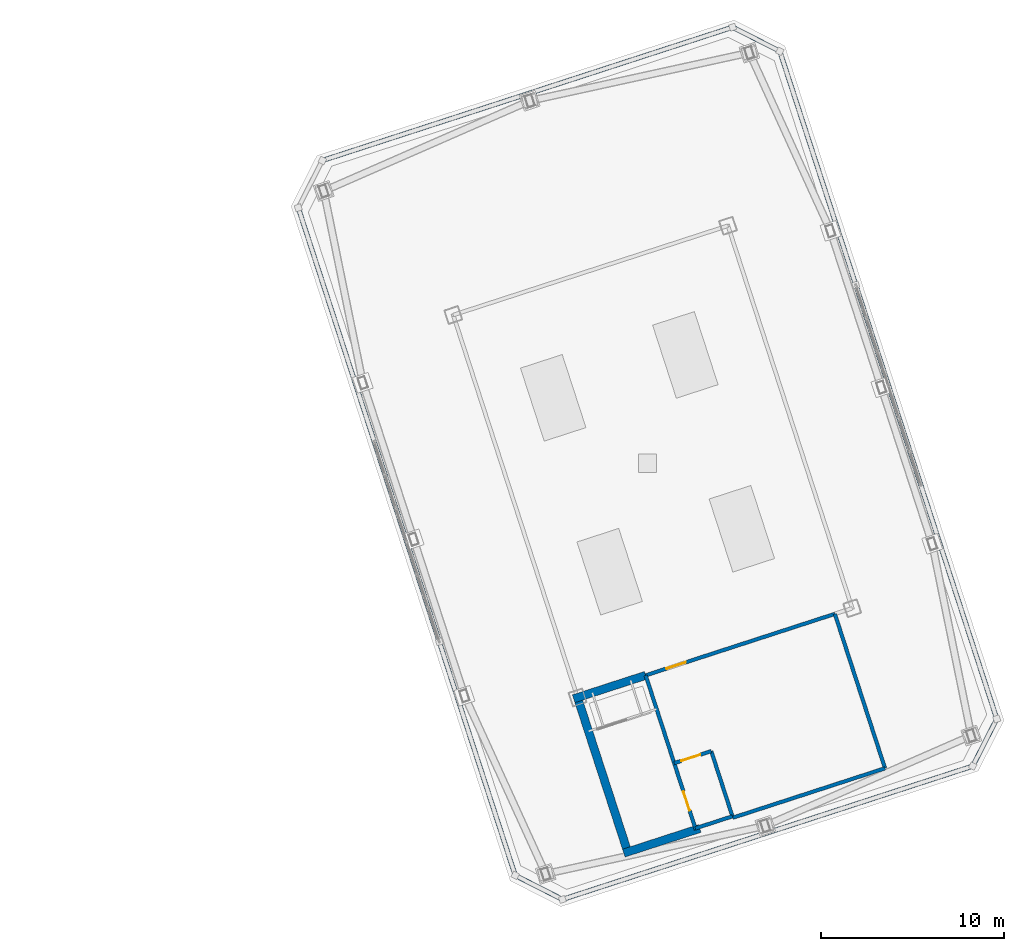
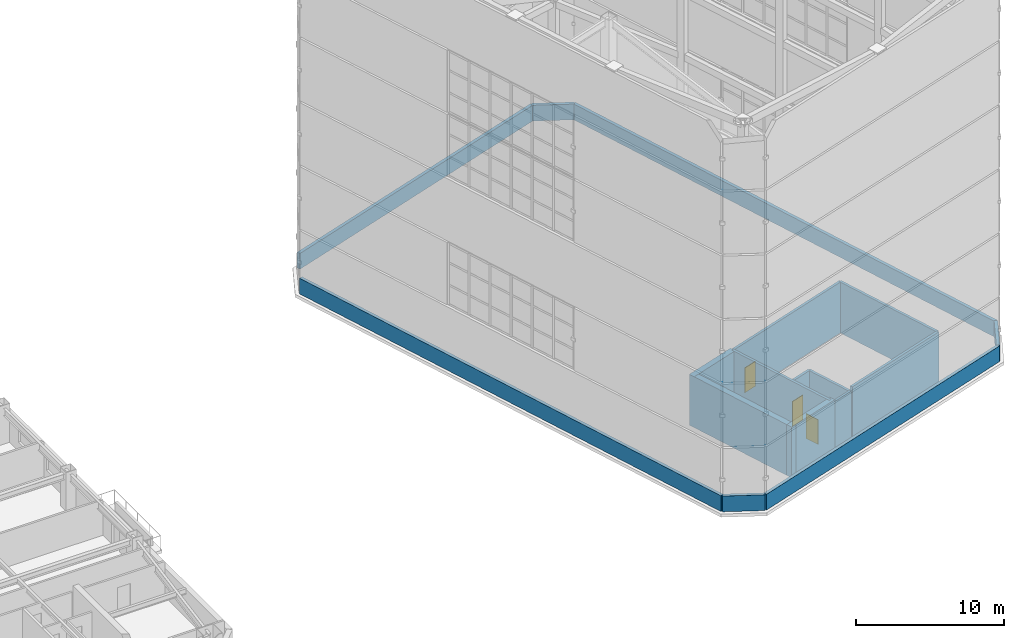
# One storey, part 51 of 56: 17 walls, 3 doors, 3 openings.
"""IFC4 building model written with IfcOpenShell, lengths in metres."""

from ifc_helpers import new_model, si_unit, direction, frame, frame_2d, origin, place, context, subcontext, project, spatial, rectangle, extrude, material, layer, layer_set, type_object, element, fill, save


model = new_model("IFC4")

# Units and contexts
model_context = context("Model", 3, precision=1e-05, world=origin(), true_north=direction((0.0, 1.0)))
body_context = subcontext(model_context, "Body", "Model", "MODEL_VIEW")
ifc_project = project(units=[si_unit("LENGTHUNIT", "METRE"), si_unit("AREAUNIT", "SQUARE_METRE"), si_unit("VOLUMEUNIT", "CUBIC_METRE"), si_unit("PLANEANGLEUNIT", "RADIAN"), si_unit("MASSUNIT", "GRAM", prefix="KILO")], contexts=[model_context])

# Site, building, storey
site_placement = place(None, origin())
site = spatial("IfcSite", under=ifc_project, at=site_placement, CompositionType="ELEMENT")
building_placement = place(site_placement, origin())
building = spatial("IfcBuilding", under=site, at=building_placement, Name="Qiaolan Cultural Towers", CompositionType="ELEMENT")
storey_placement = place(building_placement, frame((0.0, 0.0, 250.39990234375)))
storey = spatial("IfcBuildingStorey", under=building, at=storey_placement, Name="L68", CompositionType="ELEMENT", Elevation=250.39990234375)

# Walls
ifc_material_1 = material(Name="Concrete C50", Category="concrete")
ifc_layer_1 = layer(ifc_material_1, 0.449951171875)
ifc_layer_set_1 = layer_set([ifc_layer_1], Name="Concrete C50")
wall_type_1 = type_object("IfcWallType", Name="WL-CORE-450", PredefinedType="SHEAR", material=ifc_layer_set_1)
wall_1_placement = place(storey_placement, frame((88.701171875, 12.675048828125, 0.0), z_axis=(0.0, 0.0, 1.0), x_axis=(0.951063623806, 0.308995118848, 0.0)))
element("IfcWall", 1, at=wall_1_placement, inside=storey, type_object=wall_type_1, Name="L68 T2-CS Outer Core Shear Wall", PredefinedType="SHEAR", context=body_context, shape_type="SweptSolid", body=[
    extrude(rectangle(XDim=4.3701171875, YDim=0.449951171875, at=frame_2d((2.18505859375, 0.0))), origin(), (0.0, 0.0, 1.0), 4.2001953125),
])
wall_2_placement = place(storey_placement, frame((86.1015625, 21.40380859375, 0.0), z_axis=(0.0, 0.0, 1.0), x_axis=(0.309035778627, -0.951050412717, 0.0)))
element("IfcWall", 2, at=wall_2_placement, inside=storey, type_object=wall_type_1, Name="L68 T2-CS West Core Shear Wall", PredefinedType="SHEAR", context=body_context, shape_type="SweptSolid", body=[
    extrude(rectangle(XDim=9.330078125, YDim=0.449951171875, at=frame_2d((4.6650390625, 0.0))), origin(), (0.0, 0.0, 1.0), 4.2001953125),
])
wall_3_placement = place(storey_placement, frame((85.957275390625, 21.120361328125, 0.0), z_axis=(0.0, 0.0, 1.0), x_axis=(0.951064796122, 0.308991510526, 0.0)))
element("IfcWall", 3, at=wall_3_placement, inside=storey, type_object=wall_type_1, Name="L68 T2-CS Stair Front Shear Wall", PredefinedType="SHEAR", context=body_context, shape_type="SweptSolid", body=[
    extrude(rectangle(XDim=4.14501953125, YDim=0.449951171875, at=frame_2d((2.072509765625, 0.0))), origin(), (0.0, 0.0, 1.0), 4.2001953125),
])

# Wall, opening, door
ifc_material_2 = material(Name="Concrete C35 Fire Wall", Category="concrete")
ifc_layer_2 = layer(ifc_material_2, 0.199951171875)
ifc_layer_set_2 = layer_set([ifc_layer_2], Name="Concrete C35 Fire Wall")
wall_type_2 = type_object("IfcWallType", Name="WL-FIRE-200", PredefinedType="PARTITIONING", material=ifc_layer_set_2)
wall_4_placement = place(storey_placement, frame((91.459716796875, 17.598388671875, 0.0), z_axis=(0.0, 0.0, 1.0), x_axis=(0.951062701823, 0.30899795663, 0.0)))
wall_4 = element("IfcWall", 4, at=wall_4_placement, inside=storey, type_object=wall_type_2, Name="L68 FFL-E1 Shaft Wall FF-S", PredefinedType="PARTITIONING", context=body_context, shape_type="SweptSolid", body=[
    extrude(rectangle(XDim=2.130126953125, YDim=0.199951171875, at=frame_2d((1.06494140625, 0.0))), origin(), (0.0, 0.0, 1.0), 3.800048828125),
])
opening_1_placement = place(wall_4_placement, frame((0.39990234375, 0.0, 0.0)))
opening_1 = element("IfcOpeningElement", 5, at=opening_1_placement, cuts=wall_4, Name="Opening LD-01", PredefinedType="OPENING", context=body_context, shape_type="SweptSolid", body=[
    extrude(rectangle(XDim=1.10009765625, YDim=2.050048828125, at=frame_2d((0.550048828125, 1.02490234375))), frame((0.0, 0.10986328125, 0.0), z_axis=(0.0, -1.0, 0.0), x_axis=(1.0, 0.0, 0.0)), (0.0, 0.0, 1.0), 0.219970703125),
])
ifc_material_3 = material(Name="Brushed Stainless Steel S30408 Centre-Parting Lift Landing Door", Category="steel")
door_type_1 = type_object("IfcDoorType", Name="DR-LIFT-1100", OperationType="NOTDEFINED", PredefinedType="DOOR", material=ifc_material_3)
door_1_placement = place(opening_1_placement, origin())
door_1 = element("IfcDoor", 6, at=door_1_placement, inside=storey, type_object=door_type_1, Name="L68 FFL-E1 Firefighting Lift Landing Door", OperationType="DOUBLE_DOOR_SLIDING", OverallHeight=2.050048828125, OverallWidth=1.10009765625, PredefinedType="DOOR", context=body_context, shape_type="SweptSolid", body=[
    extrude(rectangle(XDim=1.10009765625, YDim=2.050048828125, at=frame_2d((0.550048828125, 1.02490234375))), frame((0.0, 0.02490234375, 0.0), z_axis=(0.0, -1.0, 0.0), x_axis=(1.0, 0.0, 0.0)), (0.0, 0.0, 1.0), 0.050048828125),
])
fill(opening_1, door_1)

# Walls
wall_5_placement = place(storey_placement, frame((93.485595703125, 18.256591796875, 0.0), z_axis=(0.0, 0.0, 1.0), x_axis=(0.308991853353, -0.951064684741, 0.0)))
element("IfcWall", 7, at=wall_5_placement, inside=storey, type_object=wall_type_2, Name="L68 FFL-E1 Shaft Wall FF-E", PredefinedType="PARTITIONING", context=body_context, shape_type="SweptSolid", body=[
    extrude(rectangle(XDim=3.75, YDim=0.199951171875, at=frame_2d((1.875, 0.0))), origin(), (0.0, 0.0, 1.0), 3.800048828125),
])
wall_6_placement = place(storey_placement, frame((92.61865234375, 14.031982421875, 0.0), z_axis=(0.0, 0.0, 1.0), x_axis=(0.951051756768, 0.30903164231, 0.0)))
element("IfcWall", 8, at=wall_6_placement, inside=storey, type_object=wall_type_2, Name="L68 FFL-E1 Shaft Wall FF-N", PredefinedType="PARTITIONING", context=body_context, shape_type="SweptSolid", body=[
    extrude(rectangle(XDim=2.1298828125, YDim=0.199951171875, at=frame_2d((1.06494140625, 0.0))), origin(), (0.0, 0.0, 1.0), 3.800048828125),
])

# Wall, opening, door
wall_7_placement = place(storey_placement, frame((89.8994140625, 22.401123046875, 0.0), z_axis=(0.0, 0.0, 1.0), x_axis=(0.951056987728, 0.309015543449, 0.0)))
wall_7 = element("IfcWall", 9, at=wall_7_placement, inside=storey, type_object=wall_type_2, Name="L68 East Crown Plant South Wall", PredefinedType="PARTITIONING", context=body_context, shape_type="SweptSolid", body=[
    extrude(rectangle(XDim=10.8798828125, YDim=0.199951171875, at=frame_2d((5.43994140625, 0.0))), origin(), (0.0, 0.0, 1.0), 4.2001953125),
])
opening_2_placement = place(wall_7_placement, frame((1.199951171875, 0.0, 0.0)))
opening_2 = element("IfcOpeningElement", 10, at=opening_2_placement, cuts=wall_7, Name="Opening FD-04", PredefinedType="OPENING", context=body_context, shape_type="SweptSolid", body=[
    extrude(rectangle(XDim=1.10009765625, YDim=2.050048828125, at=frame_2d((0.550048828125, 1.02490234375))), frame((0.0, 0.10986328125, 0.0), z_axis=(0.0, -1.0, 0.0), x_axis=(1.0, 0.0, 0.0)), (0.0, 0.0, 1.0), 0.219970703125),
])
ifc_material_4 = material(Name="Galvanized Steel Command Fire Door", Category="steel")
door_type_2 = type_object("IfcDoorType", Name="DR-FD90-1100", OperationType="NOTDEFINED", PredefinedType="DOOR", material=ifc_material_4)
door_2_placement = place(opening_2_placement, origin())
door_2 = element("IfcDoor", 11, at=door_2_placement, inside=storey, type_object=door_type_2, Name="L68 East Crown Plant Room Access Door", OperationType="SINGLE_SWING_LEFT", OverallHeight=2.050048828125, OverallWidth=1.10009765625, PredefinedType="DOOR", context=body_context, shape_type="SweptSolid", body=[
    extrude(rectangle(XDim=1.10009765625, YDim=2.050048828125, at=frame_2d((0.550048828125, 1.02490234375))), frame((0.0, 0.02490234375, 0.0), z_axis=(0.0, -1.0, 0.0), x_axis=(1.0, 0.0, 0.0)), (0.0, 0.0, 1.0), 0.050048828125),
])
fill(opening_2, door_2)

wall_8_placement = place(storey_placement, frame((92.643310546875, 13.955810546875, 0.0), z_axis=(0.0, 0.0, 1.0), x_axis=(-0.309001522984, 0.951061543116, 0.0)))
wall_8 = element("IfcWall", 12, at=wall_8_placement, inside=storey, type_object=wall_type_2, Name="L68 Stair ST-E1 Summit East Exit Wall", PredefinedType="PARTITIONING", context=body_context, shape_type="SweptSolid", body=[
    extrude(rectangle(XDim=8.8798828125, YDim=0.199951171875, at=frame_2d((4.43994140625, 0.0))), origin(), (0.0, 0.0, 1.0), 4.2001953125),
])
opening_3_placement = place(wall_8_placement, frame((1.10009765625, 0.0, 0.0)))
opening_3 = element("IfcOpeningElement", 13, at=opening_3_placement, cuts=wall_8, Name="Opening FD-04", PredefinedType="OPENING", context=body_context, shape_type="SweptSolid", body=[
    extrude(rectangle(XDim=1.10009765625, YDim=2.050048828125, at=frame_2d((0.550048828125, 1.02490234375))), frame((0.0, 0.10986328125, 0.0), z_axis=(0.0, -1.0, 0.0), x_axis=(1.0, 0.0, 0.0)), (0.0, 0.0, 1.0), 0.219970703125),
])
door_3_placement = place(opening_3_placement, origin())
door_3 = element("IfcDoor", 14, at=door_3_placement, inside=storey, type_object=door_type_2, Name="L68 Smokeproof Stair ST-E1 Summit Exit Door", OperationType="SINGLE_SWING_LEFT", OverallHeight=2.050048828125, OverallWidth=1.10009765625, PredefinedType="DOOR", context=body_context, shape_type="SweptSolid", body=[
    extrude(rectangle(XDim=1.10009765625, YDim=2.050048828125, at=frame_2d((0.550048828125, 1.02490234375))), frame((0.0, 0.02490234375, 0.0), z_axis=(0.0, -1.0, 0.0), x_axis=(1.0, 0.0, 0.0)), (0.0, 0.0, 1.0), 0.050048828125),
])
fill(opening_3, door_3)

# Walls
wall_9_placement = place(storey_placement, frame((102.990966796875, 17.31787109375, 0.0), z_axis=(0.0, 0.0, 1.0), x_axis=(-0.309026391202, 0.95105346303, 0.0)))
element("IfcWall", 15, at=wall_9_placement, inside=storey, type_object=wall_type_2, Name="L68 Roof Core Lobby East Wall", PredefinedType="PARTITIONING", context=body_context, shape_type="SweptSolid", body=[
    extrude(rectangle(XDim=8.8798828125, YDim=0.199951171875, at=frame_2d((4.43994140625, 0.0))), origin(), (0.0, 0.0, 1.0), 4.2001953125),
])
wall_10_placement = place(storey_placement, frame((94.669189453125, 14.614013671875, 0.0), z_axis=(0.0, 0.0, 1.0), x_axis=(0.951058260983, 0.309011624725, 0.0)))
element("IfcWall", 16, at=wall_10_placement, inside=storey, type_object=wall_type_2, Name="L68 Roof Core Lobby South Wall", PredefinedType="PARTITIONING", context=body_context, shape_type="SweptSolid", body=[
    extrude(rectangle(XDim=8.75, YDim=0.199951171875, at=frame_2d((4.375, 0.0))), origin(), (0.0, 0.0, 1.0), 4.2001953125),
])
ifc_material_5 = material(Name="Precast Concrete C45 Parapet Coping", Category="concrete")
ifc_layer_3 = layer(ifc_material_5, 0.25)
ifc_layer_set_3 = layer_set([ifc_layer_3], Name="Precast Concrete C45 Parapet Coping")
wall_type_3 = type_object("IfcWallType", Name="WL-PARAPET-250", PredefinedType="PARAPET", material=ifc_layer_set_3)
wall_11_placement = place(storey_placement, frame((85.34423828125, 10.1435546875, 0.0), z_axis=(0.0, 0.0, 1.0), x_axis=(0.951053984761, 0.309024785528, 0.0)))
element("IfcWall", 17, at=wall_11_placement, inside=storey, type_object=wall_type_3, Name="T2 Roof Perimeter Parapet Wall 1", PredefinedType="PARAPET", context=body_context, shape_type="SweptSolid", body=[
    extrude(rectangle(XDim=23.599853515625, YDim=0.25, at=frame_2d((11.7998046875, 0.0))), origin(), (0.0, 0.0, 1.0), 1.300048828125),
])
wall_12_placement = place(storey_placement, frame((107.7890625, 17.4365234375, 0.0), z_axis=(0.0, 0.0, 1.0), x_axis=(0.454005258201, 0.890999004223, 0.0)))
element("IfcWall", 18, at=wall_12_placement, inside=storey, type_object=wall_type_3, Name="T2 Roof Perimeter Parapet Wall 2", PredefinedType="PARAPET", context=body_context, shape_type="SweptSolid", body=[
    extrude(rectangle(XDim=2.89892578125, YDim=0.25, at=frame_2d((1.449462890625, 0.0))), origin(), (0.0, 0.0, 1.0), 1.300048828125),
])
wall_13_placement = place(storey_placement, frame((109.105224609375, 20.01953125, 0.0), z_axis=(0.0, 0.0, 1.0), x_axis=(-0.309014622562, 0.951057286941, 0.0)))
element("IfcWall", 19, at=wall_13_placement, inside=storey, type_object=wall_type_3, Name="T2 Roof Perimeter Parapet Wall 3", PredefinedType="PARAPET", context=body_context, shape_type="SweptSolid", body=[
    extrude(rectangle(XDim=38.400146484375, YDim=0.25, at=frame_2d((19.2001953125, 0.0))), origin(), (0.0, 0.0, 1.0), 1.300048828125),
])
wall_14_placement = place(storey_placement, frame((97.239013671875, 56.540283203125, 0.0), z_axis=(0.0, 0.0, 1.0), x_axis=(-0.891016360814, 0.453971193758, 0.0)))
element("IfcWall", 20, at=wall_14_placement, inside=storey, type_object=wall_type_3, Name="T2 Roof Perimeter Parapet Wall 4", PredefinedType="PARAPET", context=body_context, shape_type="SweptSolid", body=[
    extrude(rectangle(XDim=2.899169921875, YDim=0.25, at=frame_2d((1.44970703125, 0.0))), origin(), (0.0, 0.0, 1.0), 1.300048828125),
])
wall_15_placement = place(storey_placement, frame((94.65576171875, 57.8564453125, 0.0), z_axis=(0.0, 0.0, 1.0), x_axis=(-0.951053984761, -0.309024785528, 0.0)))
element("IfcWall", 21, at=wall_15_placement, inside=storey, type_object=wall_type_3, Name="T2 Roof Perimeter Parapet Wall 5", PredefinedType="PARAPET", context=body_context, shape_type="SweptSolid", body=[
    extrude(rectangle(XDim=23.599853515625, YDim=0.25, at=frame_2d((11.7998046875, 0.0))), origin(), (0.0, 0.0, 1.0), 1.300048828125),
])
wall_16_placement = place(storey_placement, frame((70.894775390625, 47.98046875, 0.0), z_axis=(0.0, 0.0, 1.0), x_axis=(0.309014622562, -0.951057286941, 0.0)))
element("IfcWall", 22, at=wall_16_placement, inside=storey, type_object=wall_type_3, Name="T2 Roof Perimeter Parapet Wall 7", PredefinedType="PARAPET", context=body_context, shape_type="SweptSolid", body=[
    extrude(rectangle(XDim=38.400146484375, YDim=0.25, at=frame_2d((19.2001953125, 0.0))), origin(), (0.0, 0.0, 1.0), 1.300048828125),
])
wall_17_placement = place(storey_placement, frame((82.760986328125, 11.459716796875, 0.0), z_axis=(0.0, 0.0, 1.0), x_axis=(0.891016360814, -0.453971193758, 0.0)))
element("IfcWall", 23, at=wall_17_placement, inside=storey, type_object=wall_type_3, Name="T2 Roof Perimeter Parapet Wall 8", PredefinedType="PARAPET", context=body_context, shape_type="SweptSolid", body=[
    extrude(rectangle(XDim=2.899169921875, YDim=0.25, at=frame_2d((1.44970703125, 0.0))), origin(), (0.0, 0.0, 1.0), 1.300048828125),
])

save(model, "model.ifc")
